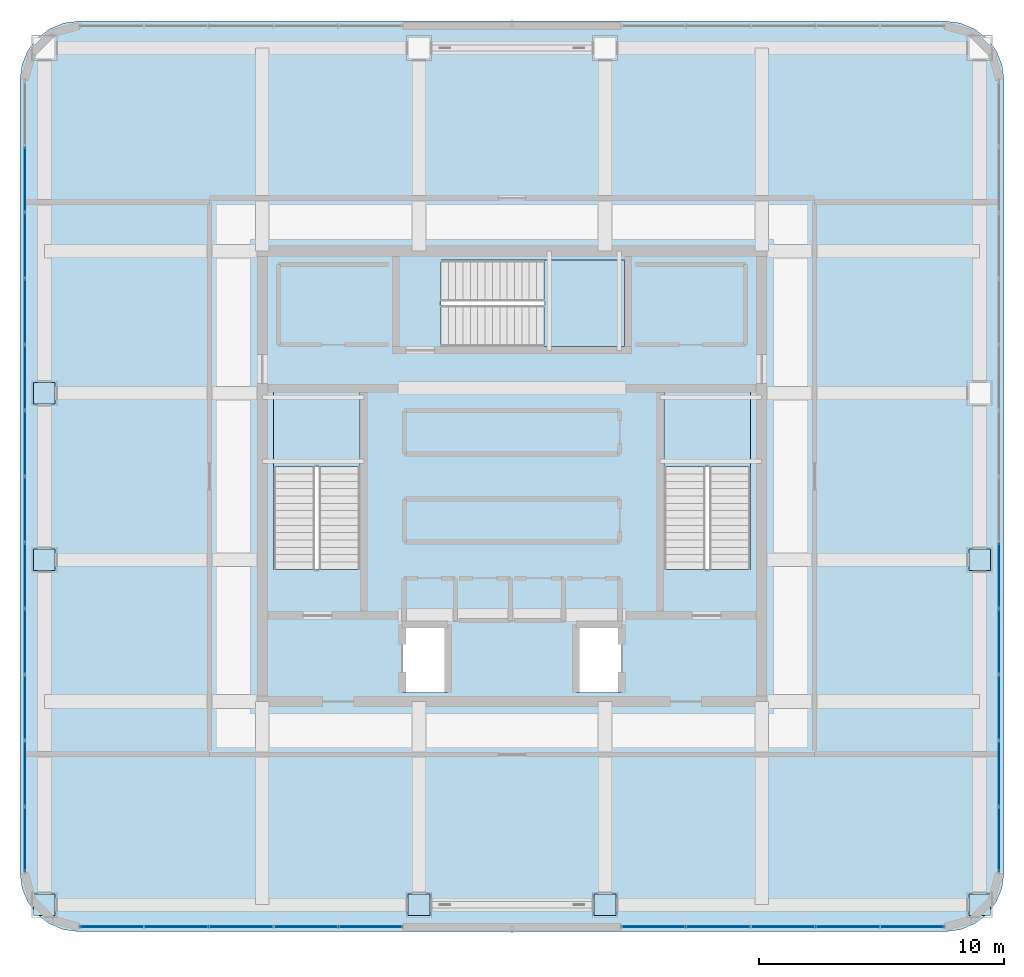
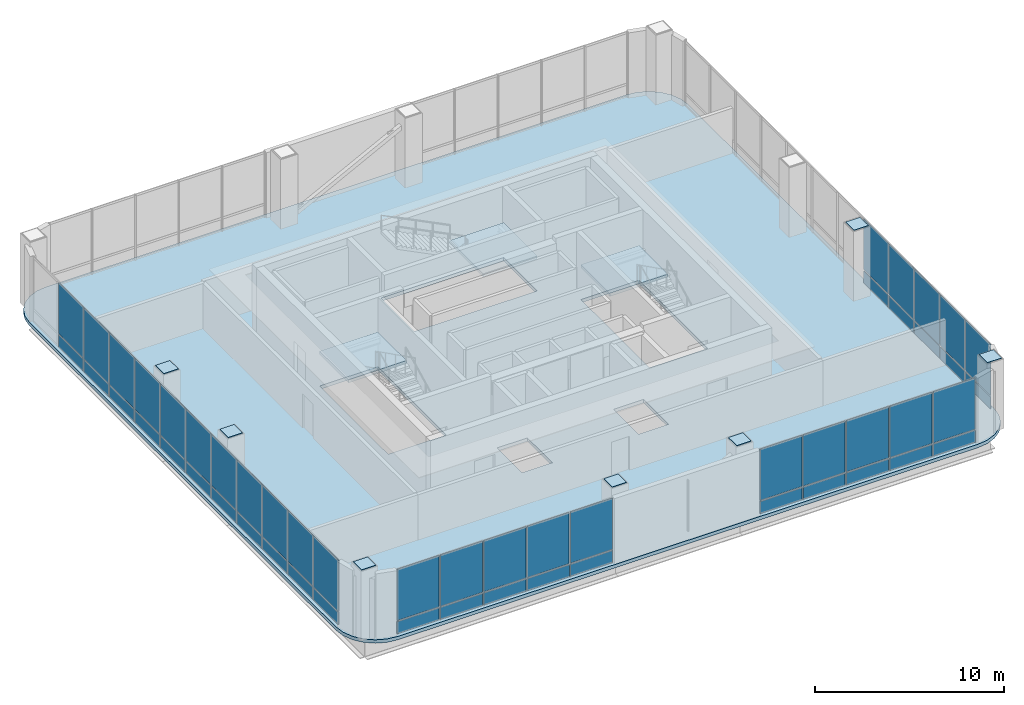
# One storey, part 25 of 33: 59 plates, 4 slabs, 7 elements without a shape of their own.
"""IFC4 building model written with IfcOpenShell, lengths in metres."""

from ifc_helpers import new_model, si_unit, direction, frame, origin, origin_2d, place, context, subcontext, project, spatial, polyline, rectangle, outline, extrude, material, layer, layer_set, type_object, element, aggregate, save


model = new_model("IFC4")

# Units and contexts
model_context = context("Model", 3, precision=1e-05, world=origin(), true_north=direction((0.0, 1.0)))
body_context = subcontext(model_context, "Body", "Model", "MODEL_VIEW")
ifc_project = project(units=[si_unit("LENGTHUNIT", "METRE"), si_unit("AREAUNIT", "SQUARE_METRE"), si_unit("VOLUMEUNIT", "CUBIC_METRE"), si_unit("PLANEANGLEUNIT", "RADIAN"), si_unit("MASSUNIT", "GRAM", prefix="KILO")], contexts=[model_context])

# Site, building, storey
site_placement = place(None, origin())
site = spatial("IfcSite", under=ifc_project, at=site_placement, CompositionType="ELEMENT")
building_placement = place(site_placement, origin())
building = spatial("IfcBuilding", under=site, at=building_placement, Name="Punatoya Terracotta Tower", CompositionType="ELEMENT")
storey_placement = place(building_placement, frame((0.0, 0.0, 348.300048828125)))
storey = spatial("IfcBuildingStorey", under=building, at=storey_placement, Name="L82", CompositionType="ELEMENT", Elevation=348.300048828125)

# Plates
ifc_material_1 = material(Name="Steel S460", Category="steel")
ifc_layer_1 = layer(ifc_material_1, 0.031982421875)
ifc_layer_set_1 = layer_set([ifc_layer_1], Name="Steel S460")
plate_type_1 = type_object("IfcPlateType", Name="PLT-END-32", PredefinedType="USERDEFINED", material=ifc_layer_set_1)
for number, where, z_axis, x_axis, name in (
    (1, (-19.10009765625, -17.5, 4.5), (0.0, 0.0, 1.0), (1.0, 0.0, 0.0), "L82 Mega-Column MC-01 Top Cap Plate"),
    (2, (-3.800048828125, -17.5, 4.5), (0.0, 0.0, 1.0), (1.0, 0.0, 0.0), "L82 Mega-Column MC-02 Top Cap Plate"),
    (3, (3.800048828125, -17.5, 4.5), (0.0, 0.0, 1.0), (1.0, 0.0, 0.0), "L82 Mega-Column MC-03 Top Cap Plate"),
    (4, (19.10009765625, -17.5, 4.5), (0.0, 0.0, 1.0), (1.0, 0.0, 0.0), "L82 Mega-Column MC-04 Top Cap Plate"),
    (5, (19.10009765625, -3.39990234375, 4.5), (0.0, 0.0, 1.0), (1.0, 0.0, 0.0), "L82 Mega-Column MC-05 Top Cap Plate"),
    (6, (-19.10009765625, 3.39990234375, 4.5), (0.0, 0.0, 1.0), (1.0, 0.0, 0.0), "L82 Mega-Column MC-11 Top Cap Plate"),
    (7, (-19.10009765625, -3.39990234375, 4.5), (0.0, 0.0, 1.0), (1.0, 0.0, 0.0), "L82 Mega-Column MC-12 Top Cap Plate"),
):
    element("IfcPlate", number, at=place(storey_placement, frame(where, z_axis=z_axis, x_axis=x_axis)), inside=storey, type_object=plate_type_1, Name=name, ObjectType="FLANGE_PLATE", PredefinedType="USERDEFINED", context=body_context, shape_type="SweptSolid", body=[
        extrude(rectangle(XDim=0.8798828125, YDim=0.8798828125, at=origin_2d()), origin(), (0.0, 0.0, 1.0), 0.031982421875),
    ])

# Curtain wall, plates
ifc_material_2 = material(Name="Aluminium 6063-T6 + Double Low-E Glass", Category="aluminium")
curtain_wall_type = type_object("IfcCurtainWallType", Name="CW-CRN", PredefinedType="NOTDEFINED", material=ifc_material_2)
curtain_wall_1_placement = place(storey_placement, origin())
curtain_wall_1 = element("IfcCurtainWall", 8, at=curtain_wall_1_placement, inside=storey, type_object=curtain_wall_type, Name="L82 Curtain Wall CW-L82-S01-1", PredefinedType="NOTDEFINED")
ifc_material_3 = material(Name="Double Low-E Acoustic Vision Glass", Category="glass")
ifc_layer_2 = layer(ifc_material_3, 0.031982421875)
ifc_layer_set_2 = layer_set([ifc_layer_2], Name="Double Low-E Acoustic Vision Glass")
plate_type_2 = type_object("IfcPlateType", Name="PLT-GLZ-32", PredefinedType="CURTAIN_PANEL", material=ifc_layer_set_2)
plate_1_placement = place(storey_placement, frame((-16.36328125, -18.39990234375, 0.889892578125), z_axis=(0.0, 0.0, 1.0), x_axis=(1.0, 0.0, 0.0)))
plate_1 = element("IfcPlate", 9, at=plate_1_placement, type_object=plate_type_2, Name="CW-L82-S01-1 Vision Glass Panel 1", PredefinedType="CURTAIN_PANEL", context=body_context, shape_type="SweptSolid", body=[
    extrude(rectangle(XDim=2.5625, YDim=0.031982421875, at=origin_2d()), origin(), (0.0, 0.0, 1.0), 3.2900390625),
])
plate_2_placement = place(storey_placement, frame((-13.7158203125, -18.39990234375, 0.889892578125), z_axis=(0.0, 0.0, 1.0), x_axis=(1.0, 0.0, 0.0)))
plate_2 = element("IfcPlate", 10, at=plate_2_placement, type_object=plate_type_2, Name="CW-L82-S01-1 Vision Glass Panel 2", PredefinedType="CURTAIN_PANEL", context=body_context, shape_type="SweptSolid", body=[
    extrude(rectangle(XDim=2.5625, YDim=0.031982421875, at=origin_2d()), origin(), (0.0, 0.0, 1.0), 3.2900390625),
])
plate_3_placement = place(storey_placement, frame((-11.068603515625, -18.39990234375, 0.889892578125), z_axis=(0.0, 0.0, 1.0), x_axis=(1.0, 0.0, 0.0)))
plate_3 = element("IfcPlate", 11, at=plate_3_placement, type_object=plate_type_2, Name="CW-L82-S01-1 Vision Glass Panel 3", PredefinedType="CURTAIN_PANEL", context=body_context, shape_type="SweptSolid", body=[
    extrude(rectangle(XDim=2.5625, YDim=0.031982421875, at=origin_2d()), origin(), (0.0, 0.0, 1.0), 3.2900390625),
])
plate_4_placement = place(storey_placement, frame((-8.421142578125, -18.39990234375, 0.889892578125), z_axis=(0.0, 0.0, 1.0), x_axis=(1.0, 0.0, 0.0)))
plate_4 = element("IfcPlate", 12, at=plate_4_placement, type_object=plate_type_2, Name="CW-L82-S01-1 Vision Glass Panel 4", PredefinedType="CURTAIN_PANEL", context=body_context, shape_type="SweptSolid", body=[
    extrude(rectangle(XDim=2.5625, YDim=0.031982421875, at=origin_2d()), origin(), (0.0, 0.0, 1.0), 3.2900390625),
])
plate_5_placement = place(storey_placement, frame((-5.773681640625, -18.39990234375, 0.889892578125), z_axis=(0.0, 0.0, 1.0), x_axis=(1.0, 0.0, 0.0)))
plate_5 = element("IfcPlate", 13, at=plate_5_placement, type_object=plate_type_2, Name="CW-L82-S01-1 Vision Glass Panel 5", PredefinedType="CURTAIN_PANEL", context=body_context, shape_type="SweptSolid", body=[
    extrude(rectangle(XDim=2.5625, YDim=0.031982421875, at=origin_2d()), origin(), (0.0, 0.0, 1.0), 3.2900390625),
])

curtain_wall_2_placement = place(storey_placement, origin())
curtain_wall_2 = element("IfcCurtainWall", 14, at=curtain_wall_2_placement, inside=storey, type_object=curtain_wall_type, Name="L82 Curtain Wall CW-L82-S01-2", PredefinedType="NOTDEFINED")
plate_6_placement = place(storey_placement, frame((5.773681640625, -18.39990234375, 0.889892578125), z_axis=(0.0, 0.0, 1.0), x_axis=(1.0, 0.0, 0.0)))
plate_6 = element("IfcPlate", 15, at=plate_6_placement, type_object=plate_type_2, Name="CW-L82-S01-2 Vision Glass Panel 1", PredefinedType="CURTAIN_PANEL", context=body_context, shape_type="SweptSolid", body=[
    extrude(rectangle(XDim=2.5625, YDim=0.031982421875, at=origin_2d()), origin(), (0.0, 0.0, 1.0), 3.2900390625),
])
plate_7_placement = place(storey_placement, frame((8.421142578125, -18.39990234375, 0.889892578125), z_axis=(0.0, 0.0, 1.0), x_axis=(1.0, 0.0, 0.0)))
plate_7 = element("IfcPlate", 16, at=plate_7_placement, type_object=plate_type_2, Name="CW-L82-S01-2 Vision Glass Panel 2", PredefinedType="CURTAIN_PANEL", context=body_context, shape_type="SweptSolid", body=[
    extrude(rectangle(XDim=2.5625, YDim=0.031982421875, at=origin_2d()), origin(), (0.0, 0.0, 1.0), 3.2900390625),
])
plate_8_placement = place(storey_placement, frame((11.068603515625, -18.39990234375, 0.889892578125), z_axis=(0.0, 0.0, 1.0), x_axis=(1.0, 0.0, 0.0)))
plate_8 = element("IfcPlate", 17, at=plate_8_placement, type_object=plate_type_2, Name="CW-L82-S01-2 Vision Glass Panel 3", PredefinedType="CURTAIN_PANEL", context=body_context, shape_type="SweptSolid", body=[
    extrude(rectangle(XDim=2.5625, YDim=0.031982421875, at=origin_2d()), origin(), (0.0, 0.0, 1.0), 3.2900390625),
])
plate_9_placement = place(storey_placement, frame((13.7158203125, -18.39990234375, 0.889892578125), z_axis=(0.0, 0.0, 1.0), x_axis=(1.0, 0.0, 0.0)))
plate_9 = element("IfcPlate", 18, at=plate_9_placement, type_object=plate_type_2, Name="CW-L82-S01-2 Vision Glass Panel 4", PredefinedType="CURTAIN_PANEL", context=body_context, shape_type="SweptSolid", body=[
    extrude(rectangle(XDim=2.5625, YDim=0.031982421875, at=origin_2d()), origin(), (0.0, 0.0, 1.0), 3.2900390625),
])
plate_10_placement = place(storey_placement, frame((16.36328125, -18.39990234375, 0.889892578125), z_axis=(0.0, 0.0, 1.0), x_axis=(1.0, 0.0, 0.0)))
plate_10 = element("IfcPlate", 19, at=plate_10_placement, type_object=plate_type_2, Name="CW-L82-S01-2 Vision Glass Panel 5", PredefinedType="CURTAIN_PANEL", context=body_context, shape_type="SweptSolid", body=[
    extrude(rectangle(XDim=2.5625, YDim=0.031982421875, at=origin_2d()), origin(), (0.0, 0.0, 1.0), 3.2900390625),
])

curtain_wall_3_placement = place(storey_placement, origin())
curtain_wall_3 = element("IfcCurtainWall", 20, at=curtain_wall_3_placement, inside=storey, type_object=curtain_wall_type, Name="L82 Curtain Wall CW-L82-E05-1", PredefinedType="NOTDEFINED")
plate_11_placement = place(storey_placement, frame((19.89990234375, -14.837890625, 0.889892578125), z_axis=(0.0, 0.0, 1.0), x_axis=(0.0, 1.0, 0.0)))
plate_11 = element("IfcPlate", 21, at=plate_11_placement, type_object=plate_type_2, Name="CW-L82-E05-1 Vision Glass Panel 1", PredefinedType="CURTAIN_PANEL", context=body_context, shape_type="SweptSolid", body=[
    extrude(rectangle(XDim=2.61279296875, YDim=0.031982421875, at=origin_2d()), origin(), (0.0, 0.0, 1.0), 3.2900390625),
])
plate_12_placement = place(storey_placement, frame((19.89990234375, -12.14013671875, 0.889892578125), z_axis=(0.0, 0.0, 1.0), x_axis=(0.0, 1.0, 0.0)))
plate_12 = element("IfcPlate", 22, at=plate_12_placement, type_object=plate_type_2, Name="CW-L82-E05-1 Vision Glass Panel 2", PredefinedType="CURTAIN_PANEL", context=body_context, shape_type="SweptSolid", body=[
    extrude(rectangle(XDim=2.61279296875, YDim=0.031982421875, at=origin_2d()), origin(), (0.0, 0.0, 1.0), 3.2900390625),
])
plate_13_placement = place(storey_placement, frame((19.89990234375, -9.4423828125, 0.889892578125), z_axis=(0.0, 0.0, 1.0), x_axis=(0.0, 1.0, 0.0)))
plate_13 = element("IfcPlate", 23, at=plate_13_placement, type_object=plate_type_2, Name="CW-L82-E05-1 Vision Glass Panel 3", PredefinedType="CURTAIN_PANEL", context=body_context, shape_type="SweptSolid", body=[
    extrude(rectangle(XDim=2.61279296875, YDim=0.031982421875, at=origin_2d()), origin(), (0.0, 0.0, 1.0), 3.2900390625),
])
plate_14_placement = place(storey_placement, frame((19.89990234375, -6.744384765625, 0.889892578125), z_axis=(0.0, 0.0, 1.0), x_axis=(0.0, 1.0, 0.0)))
plate_14 = element("IfcPlate", 24, at=plate_14_placement, type_object=plate_type_2, Name="CW-L82-E05-1 Vision Glass Panel 4", PredefinedType="CURTAIN_PANEL", context=body_context, shape_type="SweptSolid", body=[
    extrude(rectangle(XDim=2.61279296875, YDim=0.031982421875, at=origin_2d()), origin(), (0.0, 0.0, 1.0), 3.2900390625),
])
plate_15_placement = place(storey_placement, frame((19.89990234375, -4.046630859375, 0.889892578125), z_axis=(0.0, 0.0, 1.0), x_axis=(0.0, 1.0, 0.0)))
plate_15 = element("IfcPlate", 25, at=plate_15_placement, type_object=plate_type_2, Name="CW-L82-E05-1 Vision Glass Panel 5", PredefinedType="CURTAIN_PANEL", context=body_context, shape_type="SweptSolid", body=[
    extrude(rectangle(XDim=2.61279296875, YDim=0.031982421875, at=origin_2d()), origin(), (0.0, 0.0, 1.0), 3.2900390625),
])

curtain_wall_4_placement = place(storey_placement, origin())
curtain_wall_4 = element("IfcCurtainWall", 26, at=curtain_wall_4_placement, inside=storey, type_object=curtain_wall_type, Name="L82 Curtain Wall CW-L82-W13-1", PredefinedType="NOTDEFINED")
plate_16_placement = place(storey_placement, frame((-19.89990234375, 12.14013671875, 0.889892578125), z_axis=(0.0, 0.0, 1.0), x_axis=(0.0, -1.0, 0.0)))
plate_16 = element("IfcPlate", 27, at=plate_16_placement, type_object=plate_type_2, Name="CW-L82-W13-1 Vision Glass Panel 2", PredefinedType="CURTAIN_PANEL", context=body_context, shape_type="SweptSolid", body=[
    extrude(rectangle(XDim=2.61279296875, YDim=0.031982421875, at=origin_2d()), origin(), (0.0, 0.0, 1.0), 3.2900390625),
])
plate_17_placement = place(storey_placement, frame((-19.89990234375, 9.4423828125, 0.889892578125), z_axis=(0.0, 0.0, 1.0), x_axis=(0.0, -1.0, 0.0)))
plate_17 = element("IfcPlate", 28, at=plate_17_placement, type_object=plate_type_2, Name="CW-L82-W13-1 Vision Glass Panel 3", PredefinedType="CURTAIN_PANEL", context=body_context, shape_type="SweptSolid", body=[
    extrude(rectangle(XDim=2.61279296875, YDim=0.031982421875, at=origin_2d()), origin(), (0.0, 0.0, 1.0), 3.2900390625),
])
plate_18_placement = place(storey_placement, frame((-19.89990234375, 6.744384765625, 0.889892578125), z_axis=(0.0, 0.0, 1.0), x_axis=(0.0, -1.0, 0.0)))
plate_18 = element("IfcPlate", 29, at=plate_18_placement, type_object=plate_type_2, Name="CW-L82-W13-1 Vision Glass Panel 4", PredefinedType="CURTAIN_PANEL", context=body_context, shape_type="SweptSolid", body=[
    extrude(rectangle(XDim=2.61279296875, YDim=0.031982421875, at=origin_2d()), origin(), (0.0, 0.0, 1.0), 3.2900390625),
])
plate_19_placement = place(storey_placement, frame((-19.89990234375, 4.046630859375, 0.889892578125), z_axis=(0.0, 0.0, 1.0), x_axis=(0.0, -1.0, 0.0)))
plate_19 = element("IfcPlate", 30, at=plate_19_placement, type_object=plate_type_2, Name="CW-L82-W13-1 Vision Glass Panel 5", PredefinedType="CURTAIN_PANEL", context=body_context, shape_type="SweptSolid", body=[
    extrude(rectangle(XDim=2.61279296875, YDim=0.031982421875, at=origin_2d()), origin(), (0.0, 0.0, 1.0), 3.2900390625),
])
plate_20_placement = place(storey_placement, frame((-19.89990234375, 1.348876953125, 0.889892578125), z_axis=(0.0, 0.0, 1.0), x_axis=(0.0, -1.0, 0.0)))
plate_20 = element("IfcPlate", 31, at=plate_20_placement, type_object=plate_type_2, Name="CW-L82-W13-1 Vision Glass Panel 6", PredefinedType="CURTAIN_PANEL", context=body_context, shape_type="SweptSolid", body=[
    extrude(rectangle(XDim=2.61279296875, YDim=0.031982421875, at=origin_2d()), origin(), (0.0, 0.0, 1.0), 3.2900390625),
])
plate_21_placement = place(storey_placement, frame((-19.89990234375, -1.348876953125, 0.889892578125), z_axis=(0.0, 0.0, 1.0), x_axis=(0.0, -1.0, 0.0)))
plate_21 = element("IfcPlate", 32, at=plate_21_placement, type_object=plate_type_2, Name="CW-L82-W13-1 Vision Glass Panel 7", PredefinedType="CURTAIN_PANEL", context=body_context, shape_type="SweptSolid", body=[
    extrude(rectangle(XDim=2.61279296875, YDim=0.031982421875, at=origin_2d()), origin(), (0.0, 0.0, 1.0), 3.2900390625),
])
plate_22_placement = place(storey_placement, frame((-19.89990234375, -4.046630859375, 0.889892578125), z_axis=(0.0, 0.0, 1.0), x_axis=(0.0, -1.0, 0.0)))
plate_22 = element("IfcPlate", 33, at=plate_22_placement, type_object=plate_type_2, Name="CW-L82-W13-1 Vision Glass Panel 8", PredefinedType="CURTAIN_PANEL", context=body_context, shape_type="SweptSolid", body=[
    extrude(rectangle(XDim=2.61279296875, YDim=0.031982421875, at=origin_2d()), origin(), (0.0, 0.0, 1.0), 3.2900390625),
])
plate_23_placement = place(storey_placement, frame((-19.89990234375, -6.744384765625, 0.889892578125), z_axis=(0.0, 0.0, 1.0), x_axis=(0.0, -1.0, 0.0)))
plate_23 = element("IfcPlate", 34, at=plate_23_placement, type_object=plate_type_2, Name="CW-L82-W13-1 Vision Glass Panel 9", PredefinedType="CURTAIN_PANEL", context=body_context, shape_type="SweptSolid", body=[
    extrude(rectangle(XDim=2.61279296875, YDim=0.031982421875, at=origin_2d()), origin(), (0.0, 0.0, 1.0), 3.2900390625),
])
plate_24_placement = place(storey_placement, frame((-19.89990234375, -9.4423828125, 0.889892578125), z_axis=(0.0, 0.0, 1.0), x_axis=(0.0, -1.0, 0.0)))
plate_24 = element("IfcPlate", 35, at=plate_24_placement, type_object=plate_type_2, Name="CW-L82-W13-1 Vision Glass Panel 10", PredefinedType="CURTAIN_PANEL", context=body_context, shape_type="SweptSolid", body=[
    extrude(rectangle(XDim=2.61279296875, YDim=0.031982421875, at=origin_2d()), origin(), (0.0, 0.0, 1.0), 3.2900390625),
])
plate_25_placement = place(storey_placement, frame((-19.89990234375, -12.14013671875, 0.889892578125), z_axis=(0.0, 0.0, 1.0), x_axis=(0.0, -1.0, 0.0)))
plate_25 = element("IfcPlate", 36, at=plate_25_placement, type_object=plate_type_2, Name="CW-L82-W13-1 Vision Glass Panel 11", PredefinedType="CURTAIN_PANEL", context=body_context, shape_type="SweptSolid", body=[
    extrude(rectangle(XDim=2.61279296875, YDim=0.031982421875, at=origin_2d()), origin(), (0.0, 0.0, 1.0), 3.2900390625),
])
plate_26_placement = place(storey_placement, frame((-19.89990234375, -14.837890625, 0.889892578125), z_axis=(0.0, 0.0, 1.0), x_axis=(0.0, -1.0, 0.0)))
plate_26 = element("IfcPlate", 37, at=plate_26_placement, type_object=plate_type_2, Name="CW-L82-W13-1 Vision Glass Panel 12", PredefinedType="CURTAIN_PANEL", context=body_context, shape_type="SweptSolid", body=[
    extrude(rectangle(XDim=2.61279296875, YDim=0.031982421875, at=origin_2d()), origin(), (0.0, 0.0, 1.0), 3.2900390625),
])

# Plate
ifc_material_4 = material(Name="Crown Insulated Terracotta Spandrel Panel", Category="masonry")
ifc_layer_3 = layer(ifc_material_4, 0.052001953125)
ifc_layer_set_3 = layer_set([ifc_layer_3], Name="Crown Insulated Terracotta Spandrel Panel")
plate_type_3 = type_object("IfcPlateType", Name="PLT-SPN-52", PredefinedType="CURTAIN_PANEL", material=ifc_layer_set_3)
plate_27_placement = place(storey_placement, frame((-16.36328125, -18.39990234375, 0.0400390625), z_axis=(0.0, 0.0, 1.0), x_axis=(1.0, 0.0, 0.0)))
plate_27 = element("IfcPlate", 38, at=plate_27_placement, type_object=plate_type_3, Name="CW-L82-S01-1 Terracotta Spandrel Panel 1", PredefinedType="CURTAIN_PANEL", context=body_context, shape_type="SweptSolid", body=[
    extrude(rectangle(XDim=2.5625, YDim=0.052001953125, at=origin_2d()), origin(), (0.0, 0.0, 1.0), 0.77490234375),
])

plate_28_placement = place(storey_placement, frame((-13.7158203125, -18.39990234375, 0.0400390625), z_axis=(0.0, 0.0, 1.0), x_axis=(1.0, 0.0, 0.0)))
plate_28 = element("IfcPlate", 39, at=plate_28_placement, type_object=plate_type_3, Name="CW-L82-S01-1 Terracotta Spandrel Panel 2", PredefinedType="CURTAIN_PANEL", context=body_context, shape_type="SweptSolid", body=[
    extrude(rectangle(XDim=2.5625, YDim=0.052001953125, at=origin_2d()), origin(), (0.0, 0.0, 1.0), 0.77490234375),
])

plate_29_placement = place(storey_placement, frame((-11.068603515625, -18.39990234375, 0.0400390625), z_axis=(0.0, 0.0, 1.0), x_axis=(1.0, 0.0, 0.0)))
plate_29 = element("IfcPlate", 40, at=plate_29_placement, type_object=plate_type_3, Name="CW-L82-S01-1 Terracotta Spandrel Panel 3", PredefinedType="CURTAIN_PANEL", context=body_context, shape_type="SweptSolid", body=[
    extrude(rectangle(XDim=2.5625, YDim=0.052001953125, at=origin_2d()), origin(), (0.0, 0.0, 1.0), 0.77490234375),
])

plate_30_placement = place(storey_placement, frame((-8.421142578125, -18.39990234375, 0.0400390625), z_axis=(0.0, 0.0, 1.0), x_axis=(1.0, 0.0, 0.0)))
plate_30 = element("IfcPlate", 41, at=plate_30_placement, type_object=plate_type_3, Name="CW-L82-S01-1 Terracotta Spandrel Panel 4", PredefinedType="CURTAIN_PANEL", context=body_context, shape_type="SweptSolid", body=[
    extrude(rectangle(XDim=2.5625, YDim=0.052001953125, at=origin_2d()), origin(), (0.0, 0.0, 1.0), 0.77490234375),
])

plate_31_placement = place(storey_placement, frame((-5.773681640625, -18.39990234375, 0.0400390625), z_axis=(0.0, 0.0, 1.0), x_axis=(1.0, 0.0, 0.0)))
plate_31 = element("IfcPlate", 42, at=plate_31_placement, type_object=plate_type_3, Name="CW-L82-S01-1 Terracotta Spandrel Panel 5", PredefinedType="CURTAIN_PANEL", context=body_context, shape_type="SweptSolid", body=[
    extrude(rectangle(XDim=2.5625, YDim=0.052001953125, at=origin_2d()), origin(), (0.0, 0.0, 1.0), 0.77490234375),
])

aggregate(curtain_wall_1, [plate_27, plate_1, plate_28, plate_2, plate_29, plate_3, plate_30, plate_4, plate_31, plate_5])

plate_32_placement = place(storey_placement, frame((5.773681640625, -18.39990234375, 0.0400390625), z_axis=(0.0, 0.0, 1.0), x_axis=(1.0, 0.0, 0.0)))
plate_32 = element("IfcPlate", 43, at=plate_32_placement, type_object=plate_type_3, Name="CW-L82-S01-2 Terracotta Spandrel Panel 1", PredefinedType="CURTAIN_PANEL", context=body_context, shape_type="SweptSolid", body=[
    extrude(rectangle(XDim=2.5625, YDim=0.052001953125, at=origin_2d()), origin(), (0.0, 0.0, 1.0), 0.77490234375),
])

plate_33_placement = place(storey_placement, frame((8.421142578125, -18.39990234375, 0.0400390625), z_axis=(0.0, 0.0, 1.0), x_axis=(1.0, 0.0, 0.0)))
plate_33 = element("IfcPlate", 44, at=plate_33_placement, type_object=plate_type_3, Name="CW-L82-S01-2 Terracotta Spandrel Panel 2", PredefinedType="CURTAIN_PANEL", context=body_context, shape_type="SweptSolid", body=[
    extrude(rectangle(XDim=2.5625, YDim=0.052001953125, at=origin_2d()), origin(), (0.0, 0.0, 1.0), 0.77490234375),
])

plate_34_placement = place(storey_placement, frame((11.068603515625, -18.39990234375, 0.0400390625), z_axis=(0.0, 0.0, 1.0), x_axis=(1.0, 0.0, 0.0)))
plate_34 = element("IfcPlate", 45, at=plate_34_placement, type_object=plate_type_3, Name="CW-L82-S01-2 Terracotta Spandrel Panel 3", PredefinedType="CURTAIN_PANEL", context=body_context, shape_type="SweptSolid", body=[
    extrude(rectangle(XDim=2.5625, YDim=0.052001953125, at=origin_2d()), origin(), (0.0, 0.0, 1.0), 0.77490234375),
])

plate_35_placement = place(storey_placement, frame((13.7158203125, -18.39990234375, 0.0400390625), z_axis=(0.0, 0.0, 1.0), x_axis=(1.0, 0.0, 0.0)))
plate_35 = element("IfcPlate", 46, at=plate_35_placement, type_object=plate_type_3, Name="CW-L82-S01-2 Terracotta Spandrel Panel 4", PredefinedType="CURTAIN_PANEL", context=body_context, shape_type="SweptSolid", body=[
    extrude(rectangle(XDim=2.5625, YDim=0.052001953125, at=origin_2d()), origin(), (0.0, 0.0, 1.0), 0.77490234375),
])

plate_36_placement = place(storey_placement, frame((16.36328125, -18.39990234375, 0.0400390625), z_axis=(0.0, 0.0, 1.0), x_axis=(1.0, 0.0, 0.0)))
plate_36 = element("IfcPlate", 47, at=plate_36_placement, type_object=plate_type_3, Name="CW-L82-S01-2 Terracotta Spandrel Panel 5", PredefinedType="CURTAIN_PANEL", context=body_context, shape_type="SweptSolid", body=[
    extrude(rectangle(XDim=2.5625, YDim=0.052001953125, at=origin_2d()), origin(), (0.0, 0.0, 1.0), 0.77490234375),
])

aggregate(curtain_wall_2, [plate_32, plate_6, plate_33, plate_7, plate_34, plate_8, plate_35, plate_9, plate_36, plate_10])

plate_37_placement = place(storey_placement, frame((19.89990234375, -14.837890625, 0.0400390625), z_axis=(0.0, 0.0, 1.0), x_axis=(0.0, 1.0, 0.0)))
plate_37 = element("IfcPlate", 48, at=plate_37_placement, type_object=plate_type_3, Name="CW-L82-E05-1 Terracotta Spandrel Panel 1", PredefinedType="CURTAIN_PANEL", context=body_context, shape_type="SweptSolid", body=[
    extrude(rectangle(XDim=2.61279296875, YDim=0.052001953125, at=origin_2d()), origin(), (0.0, 0.0, 1.0), 0.77490234375),
])

plate_38_placement = place(storey_placement, frame((19.89990234375, -12.14013671875, 0.0400390625), z_axis=(0.0, 0.0, 1.0), x_axis=(0.0, 1.0, 0.0)))
plate_38 = element("IfcPlate", 49, at=plate_38_placement, type_object=plate_type_3, Name="CW-L82-E05-1 Terracotta Spandrel Panel 2", PredefinedType="CURTAIN_PANEL", context=body_context, shape_type="SweptSolid", body=[
    extrude(rectangle(XDim=2.61279296875, YDim=0.052001953125, at=origin_2d()), origin(), (0.0, 0.0, 1.0), 0.77490234375),
])

plate_39_placement = place(storey_placement, frame((19.89990234375, -9.4423828125, 0.0400390625), z_axis=(0.0, 0.0, 1.0), x_axis=(0.0, 1.0, 0.0)))
plate_39 = element("IfcPlate", 50, at=plate_39_placement, type_object=plate_type_3, Name="CW-L82-E05-1 Terracotta Spandrel Panel 3", PredefinedType="CURTAIN_PANEL", context=body_context, shape_type="SweptSolid", body=[
    extrude(rectangle(XDim=2.61279296875, YDim=0.052001953125, at=origin_2d()), origin(), (0.0, 0.0, 1.0), 0.77490234375),
])

plate_40_placement = place(storey_placement, frame((19.89990234375, -6.744384765625, 0.0400390625), z_axis=(0.0, 0.0, 1.0), x_axis=(0.0, 1.0, 0.0)))
plate_40 = element("IfcPlate", 51, at=plate_40_placement, type_object=plate_type_3, Name="CW-L82-E05-1 Terracotta Spandrel Panel 4", PredefinedType="CURTAIN_PANEL", context=body_context, shape_type="SweptSolid", body=[
    extrude(rectangle(XDim=2.61279296875, YDim=0.052001953125, at=origin_2d()), origin(), (0.0, 0.0, 1.0), 0.77490234375),
])

plate_41_placement = place(storey_placement, frame((19.89990234375, -4.046630859375, 0.0400390625), z_axis=(0.0, 0.0, 1.0), x_axis=(0.0, 1.0, 0.0)))
plate_41 = element("IfcPlate", 52, at=plate_41_placement, type_object=plate_type_3, Name="CW-L82-E05-1 Terracotta Spandrel Panel 5", PredefinedType="CURTAIN_PANEL", context=body_context, shape_type="SweptSolid", body=[
    extrude(rectangle(XDim=2.61279296875, YDim=0.052001953125, at=origin_2d()), origin(), (0.0, 0.0, 1.0), 0.77490234375),
])

aggregate(curtain_wall_3, [plate_37, plate_11, plate_38, plate_12, plate_39, plate_13, plate_40, plate_14, plate_41, plate_15])

plate_42_placement = place(storey_placement, frame((-19.89990234375, 12.14013671875, 0.0400390625), z_axis=(0.0, 0.0, 1.0), x_axis=(0.0, -1.0, 0.0)))
plate_42 = element("IfcPlate", 53, at=plate_42_placement, type_object=plate_type_3, Name="CW-L82-W13-1 Terracotta Spandrel Panel 2", PredefinedType="CURTAIN_PANEL", context=body_context, shape_type="SweptSolid", body=[
    extrude(rectangle(XDim=2.61279296875, YDim=0.052001953125, at=origin_2d()), origin(), (0.0, 0.0, 1.0), 0.77490234375),
])

plate_43_placement = place(storey_placement, frame((-19.89990234375, 9.4423828125, 0.0400390625), z_axis=(0.0, 0.0, 1.0), x_axis=(0.0, -1.0, 0.0)))
plate_43 = element("IfcPlate", 54, at=plate_43_placement, type_object=plate_type_3, Name="CW-L82-W13-1 Terracotta Spandrel Panel 3", PredefinedType="CURTAIN_PANEL", context=body_context, shape_type="SweptSolid", body=[
    extrude(rectangle(XDim=2.61279296875, YDim=0.052001953125, at=origin_2d()), origin(), (0.0, 0.0, 1.0), 0.77490234375),
])

plate_44_placement = place(storey_placement, frame((-19.89990234375, 6.744384765625, 0.0400390625), z_axis=(0.0, 0.0, 1.0), x_axis=(0.0, -1.0, 0.0)))
plate_44 = element("IfcPlate", 55, at=plate_44_placement, type_object=plate_type_3, Name="CW-L82-W13-1 Terracotta Spandrel Panel 4", PredefinedType="CURTAIN_PANEL", context=body_context, shape_type="SweptSolid", body=[
    extrude(rectangle(XDim=2.61279296875, YDim=0.052001953125, at=origin_2d()), origin(), (0.0, 0.0, 1.0), 0.77490234375),
])

plate_45_placement = place(storey_placement, frame((-19.89990234375, 4.046630859375, 0.0400390625), z_axis=(0.0, 0.0, 1.0), x_axis=(0.0, -1.0, 0.0)))
plate_45 = element("IfcPlate", 56, at=plate_45_placement, type_object=plate_type_3, Name="CW-L82-W13-1 Terracotta Spandrel Panel 5", PredefinedType="CURTAIN_PANEL", context=body_context, shape_type="SweptSolid", body=[
    extrude(rectangle(XDim=2.61279296875, YDim=0.052001953125, at=origin_2d()), origin(), (0.0, 0.0, 1.0), 0.77490234375),
])

plate_46_placement = place(storey_placement, frame((-19.89990234375, 1.348876953125, 0.0400390625), z_axis=(0.0, 0.0, 1.0), x_axis=(0.0, -1.0, 0.0)))
plate_46 = element("IfcPlate", 57, at=plate_46_placement, type_object=plate_type_3, Name="CW-L82-W13-1 Terracotta Spandrel Panel 6", PredefinedType="CURTAIN_PANEL", context=body_context, shape_type="SweptSolid", body=[
    extrude(rectangle(XDim=2.61279296875, YDim=0.052001953125, at=origin_2d()), origin(), (0.0, 0.0, 1.0), 0.77490234375),
])

plate_47_placement = place(storey_placement, frame((-19.89990234375, -1.348876953125, 0.0400390625), z_axis=(0.0, 0.0, 1.0), x_axis=(0.0, -1.0, 0.0)))
plate_47 = element("IfcPlate", 58, at=plate_47_placement, type_object=plate_type_3, Name="CW-L82-W13-1 Terracotta Spandrel Panel 7", PredefinedType="CURTAIN_PANEL", context=body_context, shape_type="SweptSolid", body=[
    extrude(rectangle(XDim=2.61279296875, YDim=0.052001953125, at=origin_2d()), origin(), (0.0, 0.0, 1.0), 0.77490234375),
])

plate_48_placement = place(storey_placement, frame((-19.89990234375, -4.046630859375, 0.0400390625), z_axis=(0.0, 0.0, 1.0), x_axis=(0.0, -1.0, 0.0)))
plate_48 = element("IfcPlate", 59, at=plate_48_placement, type_object=plate_type_3, Name="CW-L82-W13-1 Terracotta Spandrel Panel 8", PredefinedType="CURTAIN_PANEL", context=body_context, shape_type="SweptSolid", body=[
    extrude(rectangle(XDim=2.61279296875, YDim=0.052001953125, at=origin_2d()), origin(), (0.0, 0.0, 1.0), 0.77490234375),
])

plate_49_placement = place(storey_placement, frame((-19.89990234375, -6.744384765625, 0.0400390625), z_axis=(0.0, 0.0, 1.0), x_axis=(0.0, -1.0, 0.0)))
plate_49 = element("IfcPlate", 60, at=plate_49_placement, type_object=plate_type_3, Name="CW-L82-W13-1 Terracotta Spandrel Panel 9", PredefinedType="CURTAIN_PANEL", context=body_context, shape_type="SweptSolid", body=[
    extrude(rectangle(XDim=2.61279296875, YDim=0.052001953125, at=origin_2d()), origin(), (0.0, 0.0, 1.0), 0.77490234375),
])

plate_50_placement = place(storey_placement, frame((-19.89990234375, -9.4423828125, 0.0400390625), z_axis=(0.0, 0.0, 1.0), x_axis=(0.0, -1.0, 0.0)))
plate_50 = element("IfcPlate", 61, at=plate_50_placement, type_object=plate_type_3, Name="CW-L82-W13-1 Terracotta Spandrel Panel 10", PredefinedType="CURTAIN_PANEL", context=body_context, shape_type="SweptSolid", body=[
    extrude(rectangle(XDim=2.61279296875, YDim=0.052001953125, at=origin_2d()), origin(), (0.0, 0.0, 1.0), 0.77490234375),
])

plate_51_placement = place(storey_placement, frame((-19.89990234375, -12.14013671875, 0.0400390625), z_axis=(0.0, 0.0, 1.0), x_axis=(0.0, -1.0, 0.0)))
plate_51 = element("IfcPlate", 62, at=plate_51_placement, type_object=plate_type_3, Name="CW-L82-W13-1 Terracotta Spandrel Panel 11", PredefinedType="CURTAIN_PANEL", context=body_context, shape_type="SweptSolid", body=[
    extrude(rectangle(XDim=2.61279296875, YDim=0.052001953125, at=origin_2d()), origin(), (0.0, 0.0, 1.0), 0.77490234375),
])

plate_52_placement = place(storey_placement, frame((-19.89990234375, -14.837890625, 0.0400390625), z_axis=(0.0, 0.0, 1.0), x_axis=(0.0, -1.0, 0.0)))
plate_52 = element("IfcPlate", 63, at=plate_52_placement, type_object=plate_type_3, Name="CW-L82-W13-1 Terracotta Spandrel Panel 12", PredefinedType="CURTAIN_PANEL", context=body_context, shape_type="SweptSolid", body=[
    extrude(rectangle(XDim=2.61279296875, YDim=0.052001953125, at=origin_2d()), origin(), (0.0, 0.0, 1.0), 0.77490234375),
])

aggregate(curtain_wall_4, [plate_42, plate_16, plate_43, plate_17, plate_44, plate_18, plate_45, plate_19, plate_46, plate_20, plate_47, plate_21, plate_48, plate_22, plate_49, plate_23, plate_50, plate_24, plate_51, plate_25, plate_52, plate_26])

# Stair, slab
ifc_material_5 = material(Name="Concrete C40/50", Category="concrete")
stair_type_1 = type_object("IfcStairType", Name="STR-TER-1450", PredefinedType="HALF_TURN_STAIR", material=ifc_material_5)
stair_1_placement = place(storey_placement, origin())
stair_1 = element("IfcStair", 64, at=stair_1_placement, inside=storey, type_object=stair_type_1, Name="L82 Protected Core Exit Stair ST-3", PredefinedType="HALF_TURN_STAIR")
ifc_layer_4 = layer(ifc_material_5, 0.1650390625)
ifc_layer_set_4 = layer_set([ifc_layer_4], Name="Concrete C40/50")
slab_type_1 = type_object("IfcSlabType", Name="SLB-LND-165", PredefinedType="LANDING", material=ifc_layer_set_4)
slab_1_placement = place(storey_placement, frame((0.0, 0.0, 2.050048828125)))
slab_1 = element("IfcSlab", 65, at=slab_1_placement, type_object=slab_type_1, Name="ST-3 landing 1", PredefinedType="LANDING", context=body_context, shape_type="SweptSolid", body=[
    extrude(outline(polyline([(1.300048828125, 5.300048828125), (4.60009765625, 5.300048828125), (4.60009765625, 8.85009765625), (1.300048828125, 8.85009765625), (1.300048828125, 5.300048828125)])), origin(), (0.0, 0.0, 1.0), 0.199951171875),
])
aggregate(stair_1, [slab_1])

stair_type_2 = type_object("IfcStairType", Name="STR-CORE-1550", PredefinedType="HALF_TURN_STAIR", material=ifc_material_5)
stair_2_placement = place(storey_placement, origin())
stair_2 = element("IfcStair", 66, at=stair_2_placement, inside=storey, type_object=stair_type_2, Name="L82 Protected Core Exit Stair ST-1", PredefinedType="HALF_TURN_STAIR")
ifc_layer_5 = layer(ifc_material_5, 0.179931640625)
ifc_layer_set_5 = layer_set([ifc_layer_5], Name="Concrete C40/50")
slab_type_2 = type_object("IfcSlabType", Name="SLB-LND-180", PredefinedType="LANDING", material=ifc_layer_set_5)
slab_2_placement = place(storey_placement, frame((0.0, 0.0, 2.050048828125)))
slab_2 = element("IfcSlab", 67, at=slab_2_placement, type_object=slab_type_2, Name="ST-1 landing 1", PredefinedType="LANDING", context=body_context, shape_type="SweptSolid", body=[
    extrude(outline(polyline([(-6.199951171875, 0.39990234375), (-6.199951171875, 3.449951171875), (-9.75, 3.449951171875), (-9.75, 0.39990234375), (-6.199951171875, 0.39990234375)])), origin(), (0.0, 0.0, 1.0), 0.199951171875),
])
aggregate(stair_2, [slab_2])

stair_type_3 = type_object("IfcStairType", Name="STR-LOB-1650", PredefinedType="HALF_TURN_STAIR", material=ifc_material_5)
stair_3_placement = place(storey_placement, origin())
stair_3 = element("IfcStair", 68, at=stair_3_placement, inside=storey, type_object=stair_type_3, Name="L82 Protected Core Exit Stair ST-2", PredefinedType="HALF_TURN_STAIR")
slab_3_placement = place(storey_placement, frame((0.0, 0.0, 2.050048828125)))
slab_3 = element("IfcSlab", 69, at=slab_3_placement, type_object=slab_type_2, Name="ST-2 landing 1", PredefinedType="LANDING", context=body_context, shape_type="SweptSolid", body=[
    extrude(outline(polyline([(9.75, 0.39990234375), (9.75, 3.449951171875), (6.199951171875, 3.449951171875), (6.199951171875, 0.39990234375), (9.75, 0.39990234375)])), origin(), (0.0, 0.0, 1.0), 0.199951171875),
])
aggregate(stair_3, [slab_3])

# Slab
ifc_layer_6 = layer(ifc_material_5, 0.219970703125)
ifc_layer_set_6 = layer_set([ifc_layer_6], Name="Concrete C40/50")
slab_type_3 = type_object("IfcSlabType", Name="SLB-OFF-220", PredefinedType="FLOOR", material=ifc_layer_set_6)
slab_4_placement = place(storey_placement, frame((0.0, 0.0, -0.219970703125)))
element("IfcSlab", 70, at=slab_4_placement, inside=storey, type_object=slab_type_3, Name="L82 Structural Floor Slab", PredefinedType="FLOOR", context=body_context, shape_type="SweptSolid", body=[
    extrude(outline(polyline([(-17.699951171875, -18.60009765625), (-18.3212890625, -18.518310546875), (-18.89990234375, -18.278564453125), (-19.397216796875, -17.897216796875), (-19.778564453125, -17.39990234375), (-20.018310546875, -16.8212890625), (-20.10009765625, -16.199951171875), (-20.10009765625, 16.199951171875), (-20.018310546875, 16.8212890625), (-19.778564453125, 17.39990234375), (-19.397216796875, 17.897216796875), (-18.89990234375, 18.278564453125), (-18.3212890625, 18.518310546875), (-17.699951171875, 18.60009765625), (17.699951171875, 18.60009765625), (18.3212890625, 18.518310546875), (18.89990234375, 18.278564453125), (19.397216796875, 17.897216796875), (19.778564453125, 17.39990234375), (20.018310546875, 16.8212890625), (20.10009765625, 16.199951171875), (20.10009765625, -16.199951171875), (20.018310546875, -16.8212890625), (19.778564453125, -17.39990234375), (19.397216796875, -17.897216796875), (18.89990234375, -18.278564453125), (18.3212890625, -18.518310546875), (17.699951171875, -18.60009765625), (-17.699951171875, -18.60009765625)]), holes=[polyline([(-4.469970703125, -6.179931640625), (-4.469970703125, -8.820068359375), (-2.6298828125, -8.820068359375), (-2.6298828125, -6.179931640625), (-4.469970703125, -6.179931640625)]), polyline([(2.6298828125, -6.179931640625), (2.6298828125, -8.820068359375), (4.469970703125, -8.820068359375), (4.469970703125, -6.179931640625), (2.6298828125, -6.179931640625)]), polyline([(-9.75, -3.79931640625), (-6.199951171875, -3.79931640625), (-6.199951171875, 3.449951171875), (-9.75, 3.449951171875), (-9.75, -3.79931640625)]), polyline([(6.199951171875, 3.449951171875), (6.199951171875, -3.79931640625), (9.75, -3.79931640625), (9.75, 3.449951171875), (6.199951171875, 3.449951171875)]), polyline([(4.60009765625, 8.85009765625), (-2.899169921875, 8.85009765625), (-2.899169921875, 5.300048828125), (4.60009765625, 5.300048828125), (4.60009765625, 8.85009765625)])]), origin(), (0.0, 0.0, 1.0), 0.219970703125),
])

save(model, "model.ifc")
